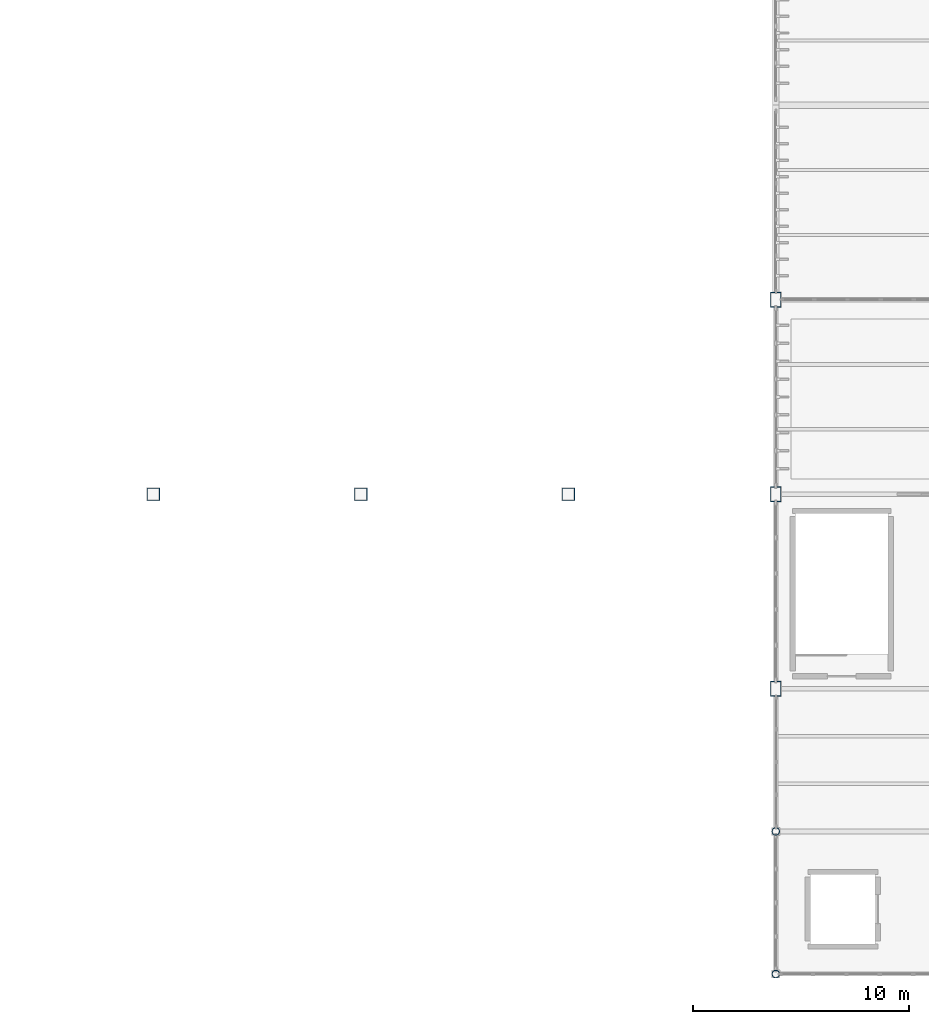
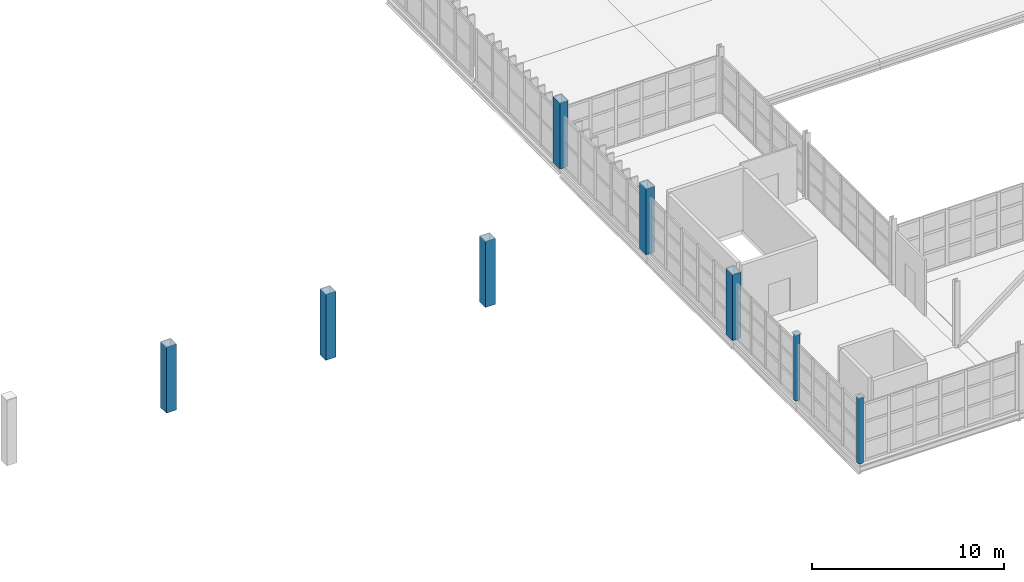
# One storey, part 5 of 82: 8 columns.
"""IFC4 building model written with IfcOpenShell, lengths in metres."""

from ifc_helpers import new_model, si_unit, direction, frame, origin, origin_2d, place, context, subcontext, project, spatial, hollow_rectangle, hollow_circle, extrude, material, material_profile, profile_set, type_object, element, save


model = new_model("IFC4")

# Units and contexts
model_context = context("Model", 3, precision=1e-05, world=origin(), true_north=direction((0.0, 1.0)))
body_context = subcontext(model_context, "Body", "Model", "MODEL_VIEW")
ifc_project = project(units=[si_unit("LENGTHUNIT", "METRE"), si_unit("AREAUNIT", "SQUARE_METRE"), si_unit("VOLUMEUNIT", "CUBIC_METRE"), si_unit("PLANEANGLEUNIT", "RADIAN"), si_unit("MASSUNIT", "GRAM", prefix="KILO")], contexts=[model_context])

# Site, building, storey
site_placement = place(None, origin())
site = spatial("IfcSite", under=ifc_project, at=site_placement, CompositionType="ELEMENT")
building_placement = place(site_placement, origin())
building = spatial("IfcBuilding", under=site, at=building_placement, Name="Zarnetskaya Central Station", CompositionType="ELEMENT")
storey_placement = place(building_placement, frame((0.0, 0.0, 10.199951171875)))
storey = spatial("IfcBuildingStorey", under=building, at=storey_placement, Name="L02", CompositionType="ELEMENT", Elevation=10.199951171875)

# Columns
ifc_material = material(Name="Steel S355", Category="steel")
ifc_material_profile_1 = material_profile(ifc_material, hollow_rectangle(XDim=0.5, YDim=0.699951171875, WallThickness=0.031982421875, at=origin_2d()), Name="BOX 700x500x32")
ifc_profile_set_1 = profile_set([ifc_material_profile_1], Name="Steel S355")
column_type_1 = type_object("IfcColumnType", Name="COL-V2-HALL", PredefinedType="COLUMN", material=ifc_profile_set_1)
for number, where, z_axis, x_axis, name in (
    (1, (124.800048828125, 13.199951171875, 0.0), (0.0, 0.0, 1.0), (1.0, 0.0, 0.0), "Column P3 L02"),
    (2, (124.800048828125, 22.199951171875, 0.0), (0.0, 0.0, 1.0), (1.0, 0.0, 0.0), "Column P4 L02"),
    (3, (124.800048828125, 31.199951171875, 0.0), (0.0, 0.0, 1.0), (1.0, 0.0, 0.0), "Column P5 L02"),
):
    element("IfcColumn", number, at=place(storey_placement, frame(where, z_axis=z_axis, x_axis=x_axis)), inside=storey, type_object=column_type_1, Name=name, PredefinedType="COLUMN", context=body_context, shape_type="SweptSolid", body=[
        extrude(hollow_rectangle(XDim=0.5, YDim=0.699951171875, WallThickness=0.031982421875, at=origin_2d()), origin(), (0.0, 0.0, 1.0), 4.18798828125),
    ])
ifc_material_profile_2 = material_profile(ifc_material, hollow_rectangle(XDim=0.60009765625, YDim=0.60009765625, WallThickness=0.030029296875, at=origin_2d()), Name="BOX 600x600x30")
ifc_profile_set_2 = profile_set([ifc_material_profile_2], Name="Steel S355")
column_type_2 = type_object("IfcColumnType", Name="COL-V2-INT", PredefinedType="COLUMN", material=ifc_profile_set_2)
for number, where, z_axis, x_axis, name in (
    (4, (96.0, 22.199951171875, 0.0), (0.0, 0.0, 1.0), (1.0, 0.0, 0.0), "Column L4 L02"),
    (5, (105.60009765625, 22.199951171875, 0.0), (0.0, 0.0, 1.0), (1.0, 0.0, 0.0), "Column M4 L02"),
    (6, (115.199951171875, 22.199951171875, 0.0), (0.0, 0.0, 1.0), (1.0, 0.0, 0.0), "Column N4 L02"),
):
    element("IfcColumn", number, at=place(storey_placement, frame(where, z_axis=z_axis, x_axis=x_axis)), inside=storey, type_object=column_type_2, Name=name, PredefinedType="COLUMN", context=body_context, shape_type="SweptSolid", body=[
        extrude(hollow_rectangle(XDim=0.60009765625, YDim=0.60009765625, WallThickness=0.030029296875, at=origin_2d()), origin(), (0.0, 0.0, 1.0), 4.18798828125),
    ])
ifc_material_profile_3 = material_profile(ifc_material, hollow_circle(Radius=0.177734375, WallThickness=0.01611328125, at=origin_2d()), Name="CHS 355.6x16")
ifc_profile_set_3 = profile_set([ifc_material_profile_3], Name="Steel S355")
column_type_3 = type_object("IfcColumnType", Name="COL-V3-FCAN", PredefinedType="COLUMN", material=ifc_profile_set_3)
for number, where, z_axis, x_axis, name in (
    (7, (124.800048828125, 0.0, 0.0), (0.0, 0.0, 1.0), (1.0, 0.0, 0.0), "Column P1 L02"),
    (8, (124.800048828125, 6.60009765625, 0.0), (0.0, 0.0, 1.0), (1.0, 0.0, 0.0), "Column P2 L02"),
):
    element("IfcColumn", number, at=place(storey_placement, frame(where, z_axis=z_axis, x_axis=x_axis)), inside=storey, type_object=column_type_3, Name=name, PredefinedType="COLUMN", context=body_context, shape_type="SweptSolid", body=[
        extrude(hollow_circle(Radius=0.177734375, WallThickness=0.01611328125, at=origin_2d()), origin(), (0.0, 0.0, 1.0), 4.18798828125),
    ])

save(model, "model.ifc")
